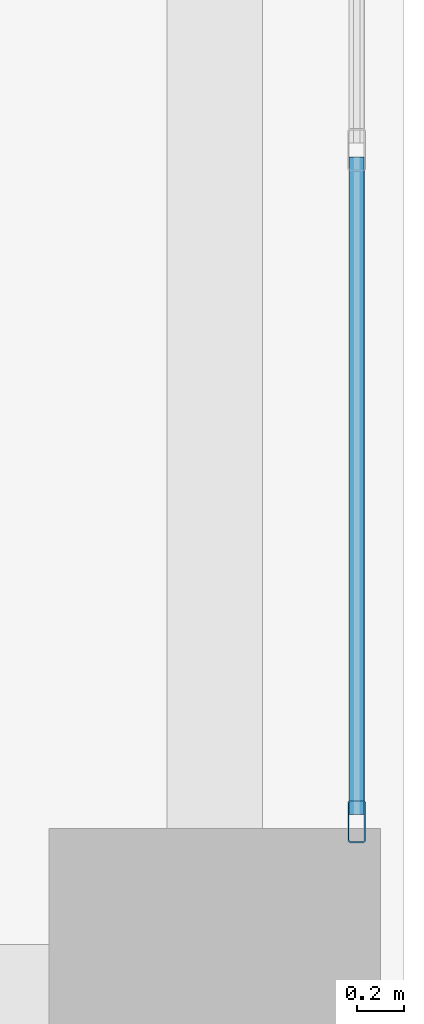
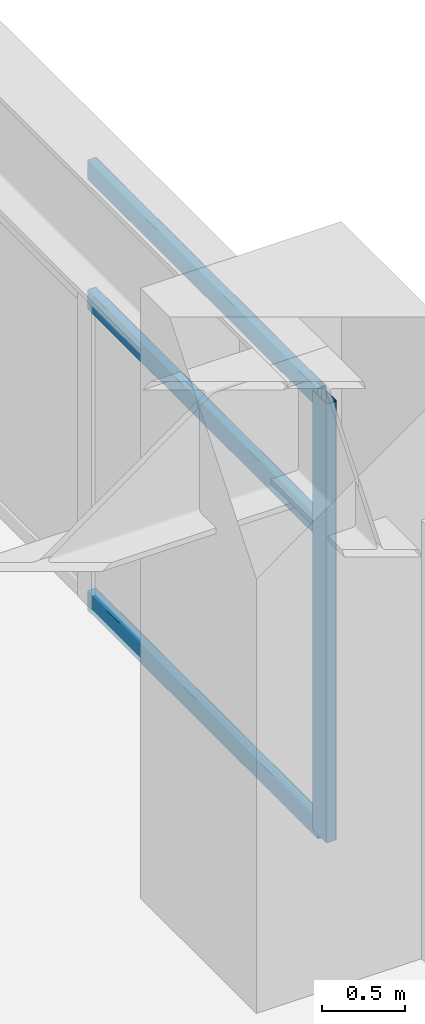
# One storey, part 13 of 28: 4 members, 1 element without a shape of its own.
"""IFC4 building model written with IfcOpenShell, lengths in metres."""

from ifc_helpers import new_model, si_unit, direction, frame, origin, origin_2d, place, context, subcontext, project, spatial, hollow_rectangle, extrude, material, layer, layer_set, material_profile, profile_set, type_object, element, aggregate, save


model = new_model("IFC4")

# Units and contexts
model_context = context("Model", 3, precision=1e-05, world=origin(), true_north=direction((0.0, 1.0)))
body_context = subcontext(model_context, "Body", "Model", "MODEL_VIEW")
ifc_project = project(units=[si_unit("LENGTHUNIT", "METRE"), si_unit("AREAUNIT", "SQUARE_METRE"), si_unit("VOLUMEUNIT", "CUBIC_METRE"), si_unit("PLANEANGLEUNIT", "RADIAN"), si_unit("MASSUNIT", "GRAM", prefix="KILO")], contexts=[model_context])

# Site, building, storey
site_placement = place(None, origin())
site = spatial("IfcSite", under=ifc_project, at=site_placement, CompositionType="ELEMENT")
building_placement = place(site_placement, origin())
building = spatial("IfcBuilding", under=site, at=building_placement, Name="Soratama Intermodal Tower", CompositionType="ELEMENT")
storey_placement = place(building_placement, frame((0.0, 0.0, 20.699951171875)))
storey = spatial("IfcBuildingStorey", under=building, at=storey_placement, Name="L04", CompositionType="ELEMENT", Elevation=20.699951171875)

# Curtain wall, members
ifc_material_1 = material(Name="Double-glazed aluminium curtain wall", Category="aluminium")
ifc_layer = layer(ifc_material_1, 0.159912109375)
ifc_layer_set = layer_set([ifc_layer], Name="Double-glazed aluminium curtain wall")
curtain_wall_type = type_object("IfcCurtainWallType", Name="CW-SYS-1", PredefinedType="NOTDEFINED", material=ifc_layer_set)
curtain_wall_placement = place(storey_placement, origin())
curtain_wall = element("IfcCurtainWall", 1, at=curtain_wall_placement, inside=storey, type_object=curtain_wall_type, Name="L04 Station Curtain Wall E1", PredefinedType="NOTDEFINED")
ifc_material_2 = material(Name="Anodised aluminium AA 6063-T6", Category="aluminium")
ifc_material_profile_1 = material_profile(ifc_material_2, hollow_rectangle(XDim=0.074951171875, YDim=0.179931640625, WallThickness=0.006103515625, InnerFilletRadius=0.006103515625, OuterFilletRadius=0.011962890625, at=origin_2d()), Name="CWM180X75X6")
ifc_profile_set_1 = profile_set([ifc_material_profile_1], Name="Anodised aluminium AA 6063-T6")
member_type_1 = type_object("IfcMemberType", Name="MT-CWM-1", PredefinedType="MULLION", material=ifc_profile_set_1)
member_1_placement = place(storey_placement, frame((83.800048828125, 15.72998046875, 0.0), z_axis=(0.0, 0.0, 1.0), x_axis=(-1.0, 0.0, 0.0)))
member_1 = element("IfcMember", 2, at=member_1_placement, type_object=member_type_1, Name="CW-1 mullion 1", PredefinedType="MULLION", context=body_context, shape_type="SweptSolid", body=[
    extrude(hollow_rectangle(XDim=0.074951171875, YDim=0.179931640625, WallThickness=0.006103515625, InnerFilletRadius=0.006103515625, OuterFilletRadius=0.011962890625, at=origin_2d()), origin(), (0.0, 0.0, 1.0), 3.236083984375),
])
ifc_material_3 = material(Name="Anodised aluminium AA 6063-T6", Category="aluminium")
ifc_material_profile_2 = material_profile(ifc_material_3, hollow_rectangle(XDim=0.06494140625, YDim=0.14990234375, WallThickness=0.0048828125, InnerFilletRadius=0.0048828125, OuterFilletRadius=0.010009765625, at=origin_2d()), Name="CWT150X65X5")
ifc_profile_set_2 = profile_set([ifc_material_profile_2], Name="Anodised aluminium AA 6063-T6")
member_type_2 = type_object("IfcMemberType", Name="TT-CWT-1", PredefinedType="USERDEFINED", material=ifc_profile_set_2)
member_2_placement = place(storey_placement, frame((83.800048828125, 15.760009765625, 0.030029296875), z_axis=(0.0, 1.0, 0.0), x_axis=(-1.0, 0.0, 0.0)))
member_2 = element("IfcMember", 3, at=member_2_placement, type_object=member_type_2, Name="CW-1 transom 1.1", ObjectType="TRANSOM", PredefinedType="USERDEFINED", context=body_context, shape_type="SweptSolid", body=[
    extrude(hollow_rectangle(XDim=0.06494140625, YDim=0.14990234375, WallThickness=0.0048828125, InnerFilletRadius=0.0048828125, OuterFilletRadius=0.010009765625, at=origin_2d()), origin(), (0.0, 0.0, 1.0), 2.776611328125),
])
member_3_placement = place(storey_placement, frame((83.800048828125, 15.760009765625, 2.25), z_axis=(0.0, 1.0, 0.0), x_axis=(-1.0, 0.0, 0.0)))
member_3 = element("IfcMember", 4, at=member_3_placement, type_object=member_type_2, Name="CW-1 transom 1.2", ObjectType="TRANSOM", PredefinedType="USERDEFINED", context=body_context, shape_type="SweptSolid", body=[
    extrude(hollow_rectangle(XDim=0.06494140625, YDim=0.14990234375, WallThickness=0.0048828125, InnerFilletRadius=0.0048828125, OuterFilletRadius=0.010009765625, at=origin_2d()), origin(), (0.0, 0.0, 1.0), 2.776611328125),
])
member_4_placement = place(storey_placement, frame((83.800048828125, 15.760009765625, 3.2060546875), z_axis=(0.0, 1.0, 0.0), x_axis=(-1.0, 0.0, 0.0)))
member_4 = element("IfcMember", 5, at=member_4_placement, type_object=member_type_2, Name="CW-1 transom 1.3", ObjectType="TRANSOM", PredefinedType="USERDEFINED", context=body_context, shape_type="SweptSolid", body=[
    extrude(hollow_rectangle(XDim=0.06494140625, YDim=0.14990234375, WallThickness=0.0048828125, InnerFilletRadius=0.0048828125, OuterFilletRadius=0.010009765625, at=origin_2d()), origin(), (0.0, 0.0, 1.0), 2.776611328125),
])
aggregate(curtain_wall, [member_1, member_2, member_3, member_4])

save(model, "model.ifc")
